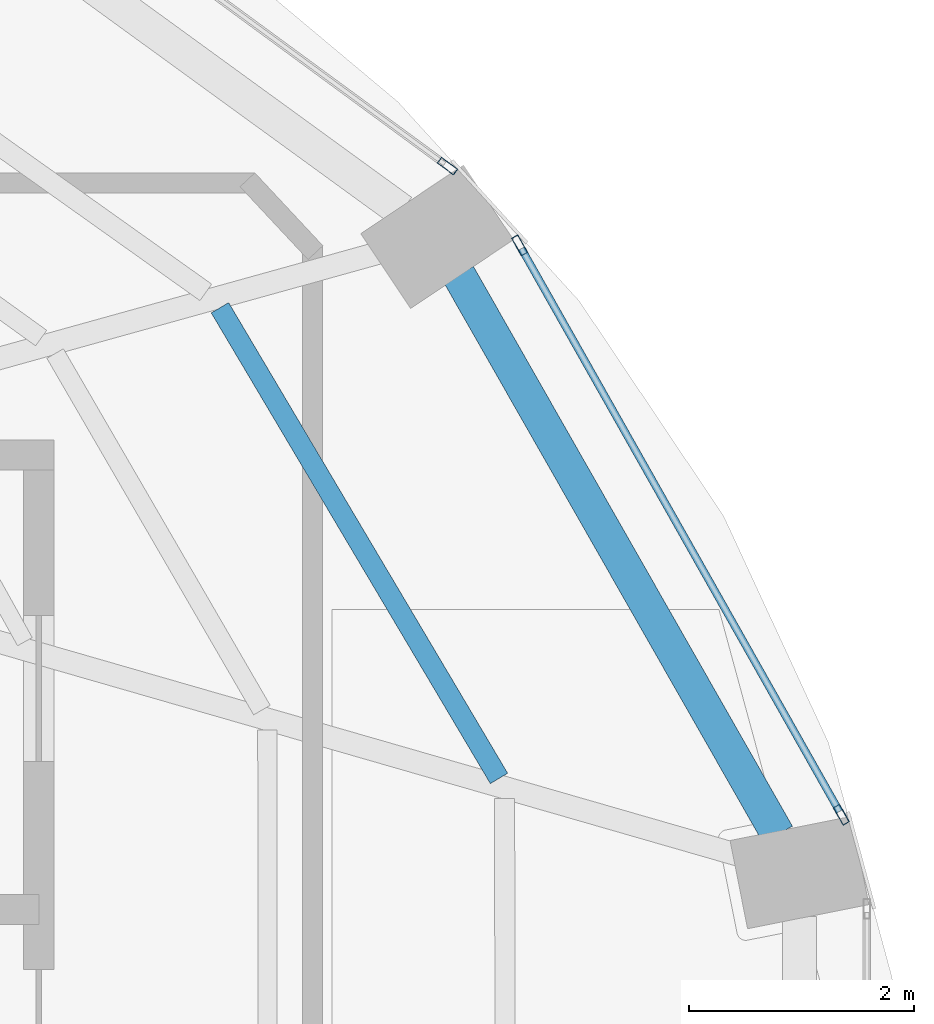
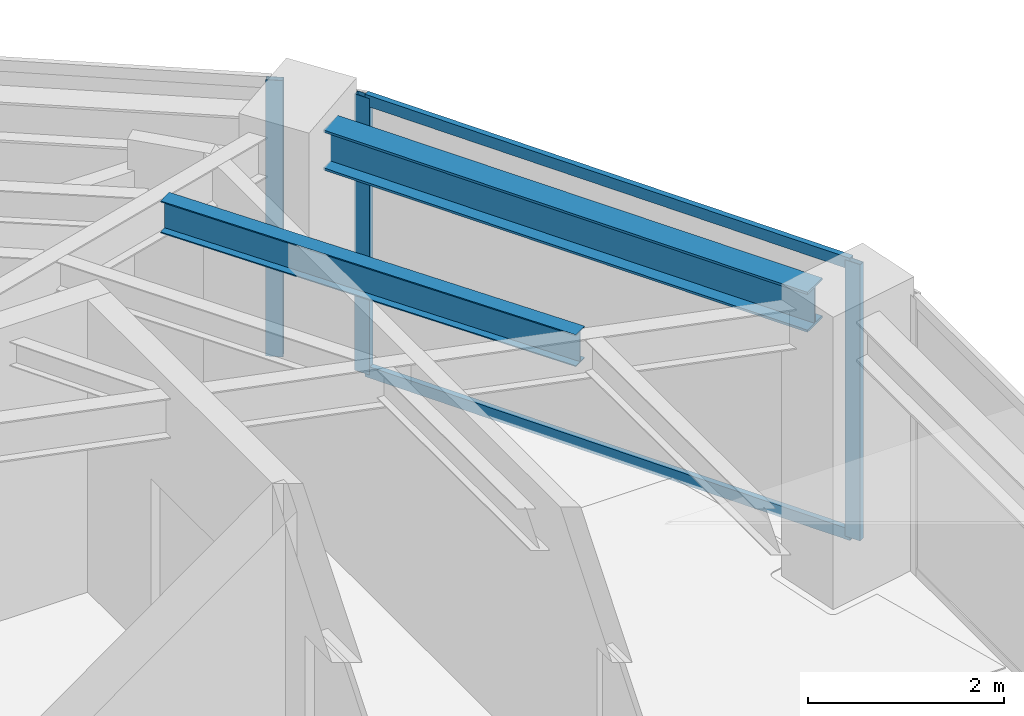
# One storey, part 6 of 13: 5 members, 2 beams, 2 elements without a shape of their own.
"""IFC4 building model written with IfcOpenShell, lengths in metres."""

from ifc_helpers import new_model, si_unit, direction, frame, origin, origin_2d, place, context, subcontext, project, spatial, hollow_rectangle, i_section, extrude, material, layer, layer_set, material_profile, profile_set, type_object, element, aggregate, save


model = new_model("IFC4")

# Units and contexts
model_context = context("Model", 3, precision=1e-05, world=origin(), true_north=direction((0.0, 1.0)))
body_context = subcontext(model_context, "Body", "Model", "MODEL_VIEW")
ifc_project = project(units=[si_unit("LENGTHUNIT", "METRE"), si_unit("AREAUNIT", "SQUARE_METRE"), si_unit("VOLUMEUNIT", "CUBIC_METRE"), si_unit("PLANEANGLEUNIT", "RADIAN"), si_unit("MASSUNIT", "GRAM", prefix="KILO")], contexts=[model_context])

# Site, building, storey
site_placement = place(None, origin())
site = spatial("IfcSite", under=ifc_project, at=site_placement, CompositionType="ELEMENT")
building_placement = place(site_placement, origin())
building = spatial("IfcBuilding", under=site, at=building_placement, Name="Lazwardi Medical Tower", CompositionType="ELEMENT")
storey_placement = place(building_placement, frame((0.0, 0.0, 295.152099609375)))
storey = spatial("IfcBuildingStorey", under=building, at=storey_placement, Name="L77", CompositionType="ELEMENT", Elevation=295.152099609375)

# Beams
ifc_material_1 = material(Name="Steel S355", Category="steel")
ifc_material_profile_1 = material_profile(ifc_material_1, i_section(OverallWidth=0.300048828125, OverallDepth=0.5, WebThickness=0.014404296875, FlangeThickness=0.028076171875, at=origin_2d()), Name="HEB 500")
ifc_profile_set_1 = profile_set([ifc_material_profile_1], Name="Steel S355")
beam_type_1 = type_object("IfcBeamType", Name="BM-RB-Z4", PredefinedType="BEAM", material=ifc_profile_set_1)
beam_1_placement = place(storey_placement, frame((56.991943359375, 32.601806640625, 3.197998046875), z_axis=(-0.495125273299, 0.868821594886, 0.0), x_axis=(-0.868821594886, -0.495125273299, 0.0)))
element("IfcBeam", 1, at=beam_1_placement, inside=storey, type_object=beam_type_1, Name="Ring beam RB-05 B05 L77", PredefinedType="BEAM", context=body_context, shape_type="SweptSolid", body=[
    extrude(i_section(OverallWidth=0.300048828125, OverallDepth=0.5, WebThickness=0.014404296875, FlangeThickness=0.028076171875, at=origin_2d()), origin(), (0.0, 0.0, 1.0), 5.734130859375),
])
ifc_material_profile_2 = material_profile(ifc_material_1, i_section(OverallWidth=0.179931640625, OverallDepth=0.39990234375, WebThickness=0.008544921875, FlangeThickness=0.013427734375, at=origin_2d()), Name="IPE 400")
ifc_profile_set_2 = profile_set([ifc_material_profile_2], Name="Steel S355")
beam_type_2 = type_object("IfcBeamType", Name="BM-SJ-01", PredefinedType="JOIST", material=ifc_profile_set_2)
beam_2_placement = place(storey_placement, frame((54.510986328125, 33.100830078125, 3.247802734375), z_axis=(-0.510029083291, 0.860157156685, 0.0), x_axis=(-0.860157156685, -0.510029083291, 0.0)))
element("IfcBeam", 2, at=beam_2_placement, inside=storey, type_object=beam_type_2, Name="Secondary joist SJ-01 R1 B05 L77", PredefinedType="JOIST", context=body_context, shape_type="SweptSolid", body=[
    extrude(i_section(OverallWidth=0.179931640625, OverallDepth=0.39990234375, WebThickness=0.008544921875, FlangeThickness=0.013427734375, at=origin_2d()), origin(), (0.0, 0.0, 1.0), 4.87060546875),
])

# Curtain wall, members
ifc_material_2 = material(Name="Anodised bronze aluminium and solar control glazing", Category="aluminium")
ifc_layer = layer(ifc_material_2, 0.18994140625)
ifc_layer_set = layer_set([ifc_layer], Name="Anodised bronze aluminium and solar control glazing")
curtain_wall_type = type_object("IfcCurtainWallType", Name="CW-SYS-04", PredefinedType="NOTDEFINED", material=ifc_layer_set)
curtain_wall_1_placement = place(storey_placement, origin())
curtain_wall_1 = element("IfcCurtainWall", 3, at=curtain_wall_1_placement, inside=storey, type_object=curtain_wall_type, Name="L77 Unitised bronze curtain wall CW-04", PredefinedType="NOTDEFINED")
ifc_material_3 = material(Name="Anodised bronze aluminium", Category="aluminium")
ifc_material_profile_3 = material_profile(ifc_material_3, hollow_rectangle(XDim=0.06494140625, YDim=0.179931640625, WallThickness=0.00390625, at=origin_2d()), Name="ALU-MULLION 180x65x4")
ifc_profile_set_3 = profile_set([ifc_material_profile_3], Name="Anodised bronze aluminium")
member_type_1 = type_object("IfcMemberType", Name="CW-MUL-03", PredefinedType="MULLION", material=ifc_profile_set_3)
member_1_placement = place(storey_placement, frame((57.557373046875, 32.778076171875, 0.0), z_axis=(0.0, 0.0, 1.0), x_axis=(-0.870651436011, -0.491900474661, 0.0)))
member_1 = element("IfcMember", 4, at=member_1_placement, type_object=member_type_1, Name="CW-04 mullion 1", PredefinedType="MULLION", context=body_context, shape_type="SweptSolid", body=[
    extrude(hollow_rectangle(XDim=0.06494140625, YDim=0.179931640625, WallThickness=0.00390625, at=origin_2d()), origin(), (0.0, 0.0, 1.0), 3.447998046875),
])
member_2_placement = place(storey_placement, frame((54.6943359375, 37.845458984375, 0.0), z_axis=(0.0, 0.0, 1.0), x_axis=(-0.870651436011, -0.491900474661, 0.0)))
member_2 = element("IfcMember", 5, at=member_2_placement, type_object=member_type_1, Name="CW-04 mullion 2", PredefinedType="MULLION", context=body_context, shape_type="SweptSolid", body=[
    extrude(hollow_rectangle(XDim=0.06494140625, YDim=0.179931640625, WallThickness=0.00390625, at=origin_2d()), origin(), (0.0, 0.0, 1.0), 3.447998046875),
])

# Curtain wall, member
curtain_wall_2_placement = place(storey_placement, origin())
curtain_wall_2 = element("IfcCurtainWall", 6, at=curtain_wall_2_placement, inside=storey, type_object=curtain_wall_type, Name="L77 Unitised bronze curtain wall CW-04", PredefinedType="NOTDEFINED")
member_3_placement = place(storey_placement, frame((54.052001953125, 38.551513671875, 0.0), z_axis=(0.0, 0.0, 1.0), x_axis=(-0.591268230971, -0.806474971121, 0.0)))
member_3 = element("IfcMember", 7, at=member_3_placement, type_object=member_type_1, Name="CW-04 mullion 1", PredefinedType="MULLION", context=body_context, shape_type="SweptSolid", body=[
    extrude(hollow_rectangle(XDim=0.06494140625, YDim=0.179931640625, WallThickness=0.00390625, at=origin_2d()), origin(), (0.0, 0.0, 1.0), 3.447998046875),
])
aggregate(curtain_wall_2, [member_3])

# Member
ifc_material_profile_4 = material_profile(ifc_material_3, hollow_rectangle(XDim=0.06494140625, YDim=0.139892578125, WallThickness=0.00341796875, at=origin_2d()), Name="ALU-TRANSOM 140x65x3.5")
ifc_profile_set_4 = profile_set([ifc_material_profile_4], Name="Anodised bronze aluminium")
member_type_2 = type_object("IfcMemberType", Name="CW-TRN-03", PredefinedType="USERDEFINED", material=ifc_profile_set_4)
member_4_placement = place(storey_placement, frame((57.541259765625, 32.806396484375, 0.032470703125), z_axis=(-0.491879719484, 0.87066316194, 0.0), x_axis=(-0.87066316194, -0.491879719484, 0.0)))
member_4 = element("IfcMember", 8, at=member_4_placement, type_object=member_type_2, Name="CW-04 transom 1.1", ObjectType="TRANSOM", PredefinedType="USERDEFINED", context=body_context, shape_type="SweptSolid", body=[
    extrude(hollow_rectangle(XDim=0.06494140625, YDim=0.139892578125, WallThickness=0.00341796875, at=origin_2d()), origin(), (0.0, 0.0, 1.0), 5.755126953125),
])

member_5_placement = place(storey_placement, frame((57.541259765625, 32.806396484375, 3.415283203125), z_axis=(-0.491879719484, 0.87066316194, 0.0), x_axis=(-0.87066316194, -0.491879719484, 0.0)))
member_5 = element("IfcMember", 9, at=member_5_placement, type_object=member_type_2, Name="CW-04 transom 1.2", ObjectType="TRANSOM", PredefinedType="USERDEFINED", context=body_context, shape_type="SweptSolid", body=[
    extrude(hollow_rectangle(XDim=0.06494140625, YDim=0.139892578125, WallThickness=0.00341796875, at=origin_2d()), origin(), (0.0, 0.0, 1.0), 5.755126953125),
])

aggregate(curtain_wall_1, [member_1, member_2, member_4, member_5])

save(model, "model.ifc")
